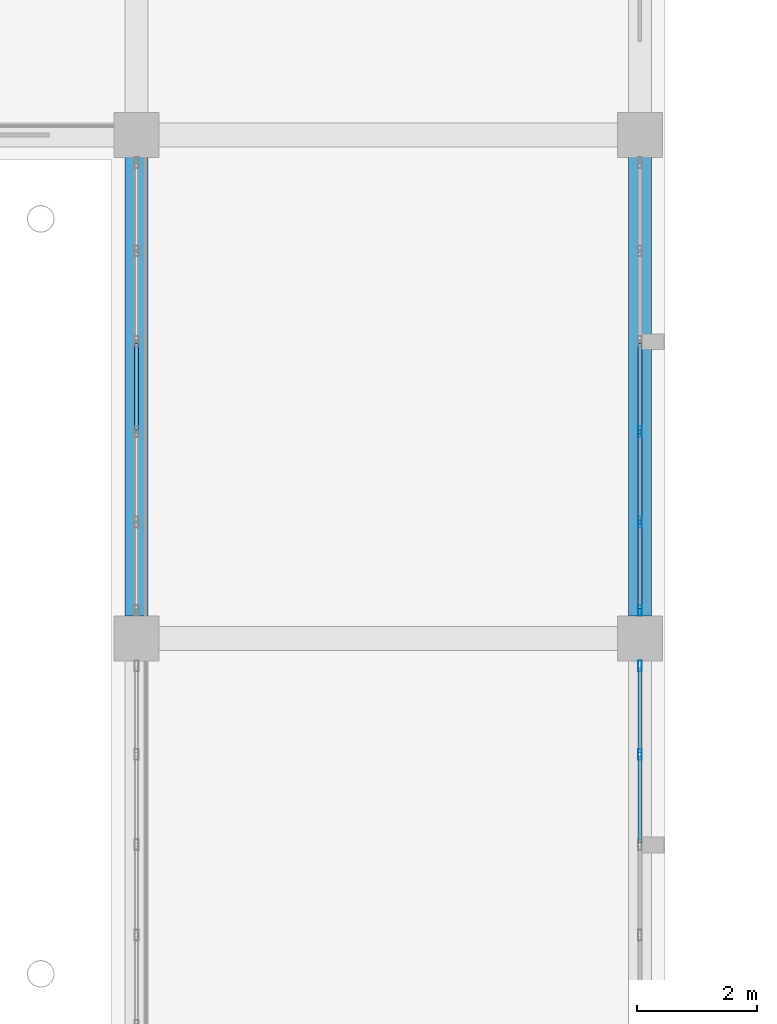
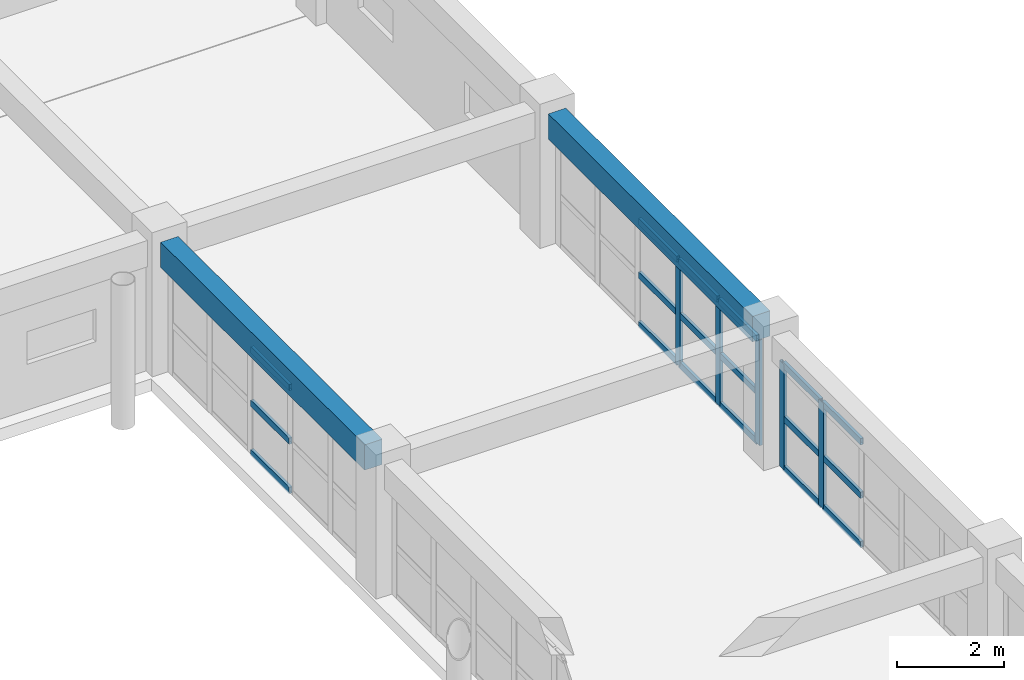
# One storey, part 140 of 200: 23 members, 2 beams, 3 elements without a shape of their own.
"""IFC4 building model written with IfcOpenShell, lengths in metres."""

from ifc_helpers import new_model, si_unit, direction, frame, origin, origin_2d, place, context, subcontext, project, spatial, rectangle, hollow_rectangle, extrude, material, layer, layer_set, material_profile, profile_set, type_object, element, aggregate, save


model = new_model("IFC4")

# Units and contexts
model_context = context("Model", 3, precision=1e-05, world=origin(), true_north=direction((0.0, 1.0)))
body_context = subcontext(model_context, "Body", "Model", "MODEL_VIEW")
ifc_project = project(units=[si_unit("LENGTHUNIT", "METRE"), si_unit("AREAUNIT", "SQUARE_METRE"), si_unit("VOLUMEUNIT", "CUBIC_METRE"), si_unit("PLANEANGLEUNIT", "RADIAN"), si_unit("MASSUNIT", "GRAM", prefix="KILO")], contexts=[model_context])

# Site, building, storey
site_placement = place(None, origin())
site = spatial("IfcSite", under=ifc_project, at=site_placement, CompositionType="ELEMENT")
building_placement = place(site_placement, origin())
building = spatial("IfcBuilding", under=site, at=building_placement, Name="Trelvath General Hospital", CompositionType="ELEMENT")
storey_placement = place(building_placement, frame((0.0, 0.0, 4.800048828125)))
storey = spatial("IfcBuildingStorey", under=building, at=storey_placement, Name="L01", CompositionType="ELEMENT", Elevation=4.800048828125)

# Beams
ifc_material_1 = material(Name="Concrete C35/45", Category="concrete")
ifc_material_profile_1 = material_profile(ifc_material_1, rectangle(XDim=0.3798828125, YDim=0.580078125, at=origin_2d()), Name="RCB380x580")
ifc_profile_set_1 = profile_set([ifc_material_profile_1], Name="Concrete C35/45")
beam_type = type_object("IfcBeamType", Name="Beam RC380x580", PredefinedType="BEAM", material=ifc_profile_set_1)
for number, where, z_axis, x_axis, name in (
    (1, (176.39990234375, 59.169921875, 2.72998046875), (0.0, 1.0, 0.0), (-1.0, 0.0, 0.0), "Grid Beam BY-121H"),
    (2, (184.800048828125, 59.169921875, 2.72998046875), (0.0, 1.0, 0.0), (-1.0, 0.0, 0.0), "Grid Beam BY-122H"),
):
    element("IfcBeam", number, at=place(storey_placement, frame(where, z_axis=z_axis, x_axis=x_axis)), inside=storey, type_object=beam_type, Name=name, PredefinedType="BEAM", context=body_context, shape_type="SweptSolid", body=[
        extrude(rectangle(XDim=0.3798828125, YDim=0.580078125, at=origin_2d()), origin(), (0.0, 0.0, 1.0), 7.66015625),
    ])

# Curtain wall, members
ifc_material_2 = material(Name="Anodised aluminium and low-E glass", Category="aluminium")
ifc_layer = layer(ifc_material_2, 0.179931640625)
ifc_layer_set = layer_set([ifc_layer], Name="Anodised aluminium and low-E glass")
curtain_wall_type = type_object("IfcCurtainWallType", Name="CW Facade 754 242 18", PredefinedType="USERDEFINED", material=ifc_layer_set)
curtain_wall_1_placement = place(storey_placement, origin())
curtain_wall_1 = element("IfcCurtainWall", 3, at=curtain_wall_1_placement, inside=storey, type_object=curtain_wall_type, Name="Facade Curtain Wall CW-037", ObjectType="Unitised Glazed Curtain Wall", PredefinedType="USERDEFINED")
ifc_material_3 = material(Name="Anodised aluminium", Category="aluminium")
ifc_material_profile_2 = material_profile(ifc_material_3, hollow_rectangle(XDim=0.06494140625, YDim=0.179931640625, WallThickness=0.0048828125, at=origin_2d()), Name="RHS65x180x5")
ifc_profile_set_2 = profile_set([ifc_material_profile_2], Name="Anodised aluminium")
member_type_1 = type_object("IfcMemberType", Name="CurtainMullion 65x180", PredefinedType="MULLION", material=ifc_profile_set_2)
member_1_placement = place(storey_placement, frame((184.800048828125, 58.33740234375, 0.0), z_axis=(0.0, 0.0, 1.0), x_axis=(1.0, 0.0, 0.0)))
member_1 = element("IfcMember", 4, at=member_1_placement, type_object=member_type_1, Name="CW-037 mullion 1", PredefinedType="MULLION", context=body_context, shape_type="SweptSolid", body=[
    extrude(hollow_rectangle(XDim=0.06494140625, YDim=0.179931640625, WallThickness=0.0048828125, at=origin_2d()), origin(), (0.0, 0.0, 1.0), 2.419921875),
])
member_2_placement = place(storey_placement, frame((184.800048828125, 56.862060546875, 0.0), z_axis=(0.0, 0.0, 1.0), x_axis=(1.0, 0.0, 0.0)))
member_2 = element("IfcMember", 5, at=member_2_placement, type_object=member_type_1, Name="CW-037 mullion 2", PredefinedType="MULLION", context=body_context, shape_type="SweptSolid", body=[
    extrude(hollow_rectangle(XDim=0.06494140625, YDim=0.179931640625, WallThickness=0.0048828125, at=origin_2d()), origin(), (0.0, 0.0, 1.0), 2.419921875),
])

curtain_wall_2_placement = place(storey_placement, origin())
curtain_wall_2 = element("IfcCurtainWall", 6, at=curtain_wall_2_placement, inside=storey, type_object=curtain_wall_type, Name="Facade Curtain Wall CW-039", ObjectType="Unitised Glazed Curtain Wall", PredefinedType="USERDEFINED")
member_3_placement = place(storey_placement, frame((184.800048828125, 62.24609375, 0.0), z_axis=(0.0, 0.0, 1.0), x_axis=(1.0, 0.0, 0.0)))
member_3 = element("IfcMember", 7, at=member_3_placement, type_object=member_type_1, Name="CW-039 mullion 4", PredefinedType="MULLION", context=body_context, shape_type="SweptSolid", body=[
    extrude(hollow_rectangle(XDim=0.06494140625, YDim=0.179931640625, WallThickness=0.0048828125, at=origin_2d()), origin(), (0.0, 0.0, 1.0), 2.419921875),
])
member_4_placement = place(storey_placement, frame((184.800048828125, 60.738037109375, 0.0), z_axis=(0.0, 0.0, 1.0), x_axis=(1.0, 0.0, 0.0)))
member_4 = element("IfcMember", 8, at=member_4_placement, type_object=member_type_1, Name="CW-039 mullion 5", PredefinedType="MULLION", context=body_context, shape_type="SweptSolid", body=[
    extrude(hollow_rectangle(XDim=0.06494140625, YDim=0.179931640625, WallThickness=0.0048828125, at=origin_2d()), origin(), (0.0, 0.0, 1.0), 2.419921875),
])
member_5_placement = place(storey_placement, frame((184.800048828125, 59.262451171875, 0.0), z_axis=(0.0, 0.0, 1.0), x_axis=(1.0, 0.0, 0.0)))
member_5 = element("IfcMember", 9, at=member_5_placement, type_object=member_type_1, Name="CW-039 mullion 6", PredefinedType="MULLION", context=body_context, shape_type="SweptSolid", body=[
    extrude(hollow_rectangle(XDim=0.06494140625, YDim=0.179931640625, WallThickness=0.0048828125, at=origin_2d()), origin(), (0.0, 0.0, 1.0), 2.419921875),
])

# Member
ifc_material_4 = material(Name="Anodised aluminium", Category="aluminium")
ifc_material_profile_3 = material_profile(ifc_material_4, hollow_rectangle(XDim=0.06494140625, YDim=0.14501953125, WallThickness=0.00390625, at=origin_2d()), Name="RHS65x145x4")
ifc_profile_set_3 = profile_set([ifc_material_profile_3], Name="Anodised aluminium")
member_type_2 = type_object("IfcMemberType", Name="CurtainTransom 65x145", PredefinedType="USERDEFINED", material=ifc_profile_set_3)
member_6_placement = place(storey_placement, frame((184.800048828125, 58.304931640625, 0.032470703125), z_axis=(0.0, -1.0, 0.0), x_axis=(1.0, 0.0, 0.0)))
member_6 = element("IfcMember", 10, at=member_6_placement, type_object=member_type_2, Name="CW-037 transom 1.1", ObjectType="TRANSOM", PredefinedType="USERDEFINED", context=body_context, shape_type="SweptSolid", body=[
    extrude(hollow_rectangle(XDim=0.06494140625, YDim=0.14501953125, WallThickness=0.00390625, at=origin_2d()), origin(), (0.0, 0.0, 1.0), 1.410400390625),
])

member_7_placement = place(storey_placement, frame((184.800048828125, 58.304931640625, 1.161865234375), z_axis=(0.0, -1.0, 0.0), x_axis=(1.0, 0.0, 0.0)))
member_7 = element("IfcMember", 11, at=member_7_placement, type_object=member_type_2, Name="CW-037 transom 1.2", ObjectType="TRANSOM", PredefinedType="USERDEFINED", context=body_context, shape_type="SweptSolid", body=[
    extrude(hollow_rectangle(XDim=0.06494140625, YDim=0.14501953125, WallThickness=0.00390625, at=origin_2d()), origin(), (0.0, 0.0, 1.0), 1.410400390625),
])

member_8_placement = place(storey_placement, frame((184.800048828125, 58.304931640625, 2.387451171875), z_axis=(0.0, -1.0, 0.0), x_axis=(1.0, 0.0, 0.0)))
member_8 = element("IfcMember", 12, at=member_8_placement, type_object=member_type_2, Name="CW-037 transom 1.3", ObjectType="TRANSOM", PredefinedType="USERDEFINED", context=body_context, shape_type="SweptSolid", body=[
    extrude(hollow_rectangle(XDim=0.06494140625, YDim=0.14501953125, WallThickness=0.00390625, at=origin_2d()), origin(), (0.0, 0.0, 1.0), 1.410400390625),
])

member_9_placement = place(storey_placement, frame((184.800048828125, 56.82958984375, 0.032470703125), z_axis=(0.0, -1.0, 0.0), x_axis=(1.0, 0.0, 0.0)))
member_9 = element("IfcMember", 13, at=member_9_placement, type_object=member_type_2, Name="CW-037 transom 2.1", ObjectType="TRANSOM", PredefinedType="USERDEFINED", context=body_context, shape_type="SweptSolid", body=[
    extrude(hollow_rectangle(XDim=0.06494140625, YDim=0.14501953125, WallThickness=0.00390625, at=origin_2d()), origin(), (0.0, 0.0, 1.0), 1.443115234375),
])

member_10_placement = place(storey_placement, frame((184.800048828125, 56.82958984375, 1.161865234375), z_axis=(0.0, -1.0, 0.0), x_axis=(1.0, 0.0, 0.0)))
member_10 = element("IfcMember", 14, at=member_10_placement, type_object=member_type_2, Name="CW-037 transom 2.2", ObjectType="TRANSOM", PredefinedType="USERDEFINED", context=body_context, shape_type="SweptSolid", body=[
    extrude(hollow_rectangle(XDim=0.06494140625, YDim=0.14501953125, WallThickness=0.00390625, at=origin_2d()), origin(), (0.0, 0.0, 1.0), 1.443115234375),
])

member_11_placement = place(storey_placement, frame((184.800048828125, 56.82958984375, 2.387451171875), z_axis=(0.0, -1.0, 0.0), x_axis=(1.0, 0.0, 0.0)))
member_11 = element("IfcMember", 15, at=member_11_placement, type_object=member_type_2, Name="CW-037 transom 2.3", ObjectType="TRANSOM", PredefinedType="USERDEFINED", context=body_context, shape_type="SweptSolid", body=[
    extrude(hollow_rectangle(XDim=0.06494140625, YDim=0.14501953125, WallThickness=0.00390625, at=origin_2d()), origin(), (0.0, 0.0, 1.0), 1.443115234375),
])

aggregate(curtain_wall_1, [member_1, member_2, member_6, member_7, member_8, member_9, member_10, member_11])

# Curtain wall, members
curtain_wall_3_placement = place(storey_placement, origin())
curtain_wall_3 = element("IfcCurtainWall", 16, at=curtain_wall_3_placement, inside=storey, type_object=curtain_wall_type, Name="Facade Curtain Wall CW-038", ObjectType="Unitised Glazed Curtain Wall", PredefinedType="USERDEFINED")
member_12_placement = place(storey_placement, frame((176.39990234375, 62.278564453125, 0.032470703125), z_axis=(0.0, 1.0, 0.0), x_axis=(-1.0, 0.0, 0.0)))
member_12 = element("IfcMember", 17, at=member_12_placement, type_object=member_type_2, Name="CW-038 transom 3.1", ObjectType="TRANSOM", PredefinedType="USERDEFINED", context=body_context, shape_type="SweptSolid", body=[
    extrude(hollow_rectangle(XDim=0.06494140625, YDim=0.14501953125, WallThickness=0.00390625, at=origin_2d()), origin(), (0.0, 0.0, 1.0), 1.44287109375),
])
member_13_placement = place(storey_placement, frame((176.39990234375, 62.278564453125, 1.161865234375), z_axis=(0.0, 1.0, 0.0), x_axis=(-1.0, 0.0, 0.0)))
member_13 = element("IfcMember", 18, at=member_13_placement, type_object=member_type_2, Name="CW-038 transom 3.2", ObjectType="TRANSOM", PredefinedType="USERDEFINED", context=body_context, shape_type="SweptSolid", body=[
    extrude(hollow_rectangle(XDim=0.06494140625, YDim=0.14501953125, WallThickness=0.00390625, at=origin_2d()), origin(), (0.0, 0.0, 1.0), 1.44287109375),
])
member_14_placement = place(storey_placement, frame((176.39990234375, 62.278564453125, 2.387451171875), z_axis=(0.0, 1.0, 0.0), x_axis=(-1.0, 0.0, 0.0)))
member_14 = element("IfcMember", 19, at=member_14_placement, type_object=member_type_2, Name="CW-038 transom 3.3", ObjectType="TRANSOM", PredefinedType="USERDEFINED", context=body_context, shape_type="SweptSolid", body=[
    extrude(hollow_rectangle(XDim=0.06494140625, YDim=0.14501953125, WallThickness=0.00390625, at=origin_2d()), origin(), (0.0, 0.0, 1.0), 1.44287109375),
])
aggregate(curtain_wall_3, [member_12, member_13, member_14])

# Member
member_15_placement = place(storey_placement, frame((184.800048828125, 63.721435546875, 0.032470703125), z_axis=(0.0, -1.0, 0.0), x_axis=(1.0, 0.0, 0.0)))
member_15 = element("IfcMember", 20, at=member_15_placement, type_object=member_type_2, Name="CW-039 transom 3.1", ObjectType="TRANSOM", PredefinedType="USERDEFINED", context=body_context, shape_type="SweptSolid", body=[
    extrude(hollow_rectangle(XDim=0.06494140625, YDim=0.14501953125, WallThickness=0.00390625, at=origin_2d()), origin(), (0.0, 0.0, 1.0), 1.44287109375),
])

member_16_placement = place(storey_placement, frame((184.800048828125, 63.721435546875, 1.161865234375), z_axis=(0.0, -1.0, 0.0), x_axis=(1.0, 0.0, 0.0)))
member_16 = element("IfcMember", 21, at=member_16_placement, type_object=member_type_2, Name="CW-039 transom 3.2", ObjectType="TRANSOM", PredefinedType="USERDEFINED", context=body_context, shape_type="SweptSolid", body=[
    extrude(hollow_rectangle(XDim=0.06494140625, YDim=0.14501953125, WallThickness=0.00390625, at=origin_2d()), origin(), (0.0, 0.0, 1.0), 1.44287109375),
])

member_17_placement = place(storey_placement, frame((184.800048828125, 63.721435546875, 2.387451171875), z_axis=(0.0, -1.0, 0.0), x_axis=(1.0, 0.0, 0.0)))
member_17 = element("IfcMember", 22, at=member_17_placement, type_object=member_type_2, Name="CW-039 transom 3.3", ObjectType="TRANSOM", PredefinedType="USERDEFINED", context=body_context, shape_type="SweptSolid", body=[
    extrude(hollow_rectangle(XDim=0.06494140625, YDim=0.14501953125, WallThickness=0.00390625, at=origin_2d()), origin(), (0.0, 0.0, 1.0), 1.44287109375),
])

member_18_placement = place(storey_placement, frame((184.800048828125, 62.21337890625, 0.032470703125), z_axis=(0.0, -1.0, 0.0), x_axis=(1.0, 0.0, 0.0)))
member_18 = element("IfcMember", 23, at=member_18_placement, type_object=member_type_2, Name="CW-039 transom 4.1", ObjectType="TRANSOM", PredefinedType="USERDEFINED", context=body_context, shape_type="SweptSolid", body=[
    extrude(hollow_rectangle(XDim=0.06494140625, YDim=0.14501953125, WallThickness=0.00390625, at=origin_2d()), origin(), (0.0, 0.0, 1.0), 1.44287109375),
])

member_19_placement = place(storey_placement, frame((184.800048828125, 62.21337890625, 1.161865234375), z_axis=(0.0, -1.0, 0.0), x_axis=(1.0, 0.0, 0.0)))
member_19 = element("IfcMember", 24, at=member_19_placement, type_object=member_type_2, Name="CW-039 transom 4.2", ObjectType="TRANSOM", PredefinedType="USERDEFINED", context=body_context, shape_type="SweptSolid", body=[
    extrude(hollow_rectangle(XDim=0.06494140625, YDim=0.14501953125, WallThickness=0.00390625, at=origin_2d()), origin(), (0.0, 0.0, 1.0), 1.44287109375),
])

member_20_placement = place(storey_placement, frame((184.800048828125, 62.21337890625, 2.387451171875), z_axis=(0.0, -1.0, 0.0), x_axis=(1.0, 0.0, 0.0)))
member_20 = element("IfcMember", 25, at=member_20_placement, type_object=member_type_2, Name="CW-039 transom 4.3", ObjectType="TRANSOM", PredefinedType="USERDEFINED", context=body_context, shape_type="SweptSolid", body=[
    extrude(hollow_rectangle(XDim=0.06494140625, YDim=0.14501953125, WallThickness=0.00390625, at=origin_2d()), origin(), (0.0, 0.0, 1.0), 1.44287109375),
])

member_21_placement = place(storey_placement, frame((184.800048828125, 60.70556640625, 0.032470703125), z_axis=(0.0, -1.0, 0.0), x_axis=(1.0, 0.0, 0.0)))
member_21 = element("IfcMember", 26, at=member_21_placement, type_object=member_type_2, Name="CW-039 transom 5.1", ObjectType="TRANSOM", PredefinedType="USERDEFINED", context=body_context, shape_type="SweptSolid", body=[
    extrude(hollow_rectangle(XDim=0.06494140625, YDim=0.14501953125, WallThickness=0.00390625, at=origin_2d()), origin(), (0.0, 0.0, 1.0), 1.41064453125),
])

member_22_placement = place(storey_placement, frame((184.800048828125, 60.70556640625, 1.161865234375), z_axis=(0.0, -1.0, 0.0), x_axis=(1.0, 0.0, 0.0)))
member_22 = element("IfcMember", 27, at=member_22_placement, type_object=member_type_2, Name="CW-039 transom 5.2", ObjectType="TRANSOM", PredefinedType="USERDEFINED", context=body_context, shape_type="SweptSolid", body=[
    extrude(hollow_rectangle(XDim=0.06494140625, YDim=0.14501953125, WallThickness=0.00390625, at=origin_2d()), origin(), (0.0, 0.0, 1.0), 1.41064453125),
])

member_23_placement = place(storey_placement, frame((184.800048828125, 60.70556640625, 2.387451171875), z_axis=(0.0, -1.0, 0.0), x_axis=(1.0, 0.0, 0.0)))
member_23 = element("IfcMember", 28, at=member_23_placement, type_object=member_type_2, Name="CW-039 transom 5.3", ObjectType="TRANSOM", PredefinedType="USERDEFINED", context=body_context, shape_type="SweptSolid", body=[
    extrude(hollow_rectangle(XDim=0.06494140625, YDim=0.14501953125, WallThickness=0.00390625, at=origin_2d()), origin(), (0.0, 0.0, 1.0), 1.41064453125),
])

aggregate(curtain_wall_2, [member_3, member_4, member_5, member_15, member_16, member_17, member_18, member_19, member_20, member_21, member_22, member_23])

save(model, "model.ifc")
